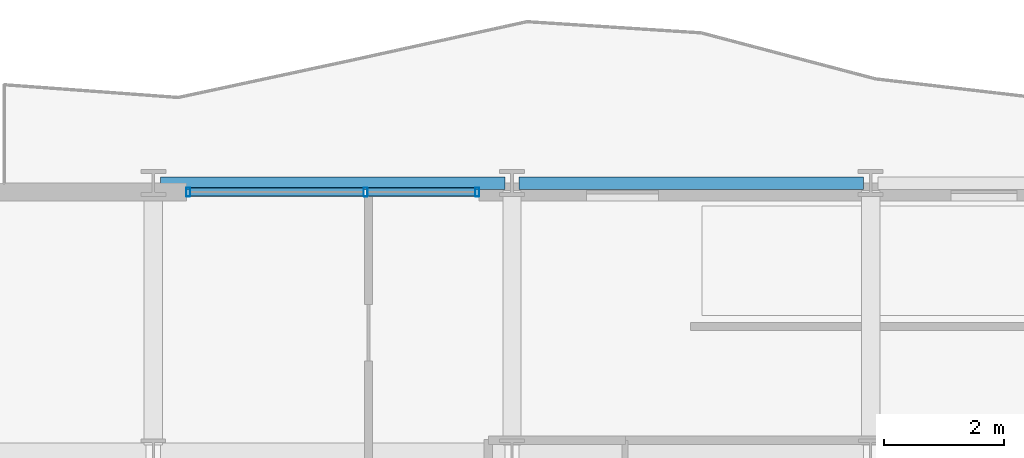
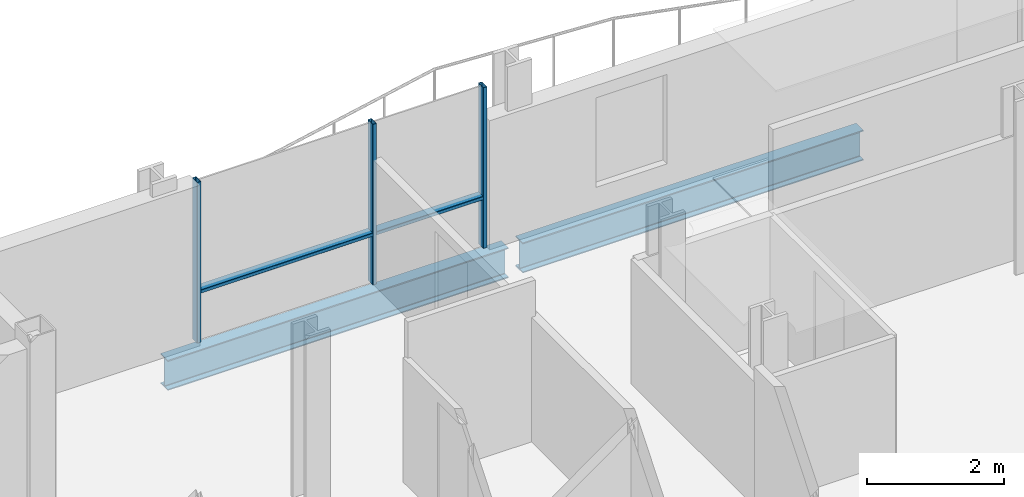
# One storey, part 21 of 40: 5 members, 2 beams, 1 element without a shape of its own.
"""IFC4 building model written with IfcOpenShell, lengths in metres."""

import ifcopenshell
import ifcopenshell.guid

model = None  # the IFC model being written
_history = None  # IfcOwnerHistory: only IFC2X3 demands one
_inside = {}  # id of a spatial element -> (the spatial element, [elements in it])
_under = {}  # id of a project, library or spatial element -> (it, [spatial elements below it])
_declared = {}  # id of a project -> (the project, [libraries it declares])
_typed = {}  # id of a type object -> (the type object, [elements of that type])
_made_of = {}  # id of a material, layer set ... -> (it, [elements and type objects made of it])


def new_model(schema):
    """Start an empty IFC model of exactly this schema.

    Asked for "IFC4X3", IfcOpenShell would pick the latest addendum, in which some entities
    have other attributes; the version numbers below select the first issue.
    IFC2X3 requires an IfcOwnerHistory on every rooted entity: one is made here for all.
    """
    global model, _history
    if schema == "IFC4X3":
        model = ifcopenshell.file(schema_version=(4, 3, 0, 0))
    else:
        model = ifcopenshell.file(schema=schema)
    _inside.clear()
    _under.clear()
    _declared.clear()
    _typed.clear()
    _made_of.clear()
    _history = None
    if model.schema == "IFC2X3":
        org = make("IfcOrganization", Name="unknown")
        user = make(
            "IfcPersonAndOrganization",
            ThePerson=make("IfcPerson", FamilyName="unknown"),
            TheOrganization=org,
        )
        app = make(
            "IfcApplication",
            ApplicationDeveloper=org,
            Version="unknown",
            ApplicationFullName="unknown",
            ApplicationIdentifier="unknown",
        )
        _history = make(
            "IfcOwnerHistory",
            OwningUser=user,
            OwningApplication=app,
            ChangeAction="ADDED",
            CreationDate=0,
        )
    return model


def make(cls, **values):
    """One entity of the class cls with the attributes given. An attribute that is None is left unset."""
    return model.create_entity(
        cls, **{name: value for name, value in values.items() if value is not None}
    )


def rooted(cls, **values):
    """An entity with a GlobalId (a new one), such as an element, a storey or a relation."""
    return make(cls, GlobalId=ifcopenshell.guid.new(), OwnerHistory=_history, **values)


def si_unit(unit_type, name, prefix=None):
    """IfcSIUnit, for example si_unit("LENGTHUNIT", "METRE", prefix="MILLI")."""
    return make("IfcSIUnit", UnitType=unit_type, Prefix=prefix, Name=name)


def assignment(units):
    """IfcUnitAssignment: the units of a project."""
    return None if units is None else make("IfcUnitAssignment", Units=units)


def point(xyz):
    """IfcCartesianPoint."""
    return None if xyz is None else make("IfcCartesianPoint", Coordinates=xyz)


def direction(xyz):
    """IfcDirection."""
    return None if xyz is None else make("IfcDirection", DirectionRatios=xyz)


def frame(location, z_axis=None, x_axis=None):
    """IfcAxis2Placement3D, a coordinate frame: its origin and axes. An axis left out is left unset."""
    return make(
        "IfcAxis2Placement3D",
        Location=point(location),
        Axis=direction(z_axis),
        RefDirection=direction(x_axis),
    )


def frame_2d(location, x_axis=None):
    """IfcAxis2Placement2D, a coordinate frame in the plane: its origin and x axis."""
    return make(
        "IfcAxis2Placement2D", Location=point(location), RefDirection=direction(x_axis)
    )


def origin():
    """The frame at (0, 0, 0) with its axes left unset."""
    return frame((0.0, 0.0, 0.0))


def origin_2d():
    """The frame at (0, 0) in the plane with its x axis left unset."""
    return frame_2d((0.0, 0.0))


def place(relative_to, where):
    """IfcLocalPlacement: puts the frame where relative to a parent placement (None: the world)."""
    return make(
        "IfcLocalPlacement", PlacementRelTo=relative_to, RelativePlacement=where
    )


def context(
    kind, dimensions, precision=None, world=None, true_north=None, identifier=None
):
    """IfcGeometricRepresentationContext, for example the 3D "Model" context."""
    return make(
        "IfcGeometricRepresentationContext",
        ContextIdentifier=identifier,
        ContextType=kind,
        CoordinateSpaceDimension=dimensions,
        Precision=precision,
        WorldCoordinateSystem=world,
        TrueNorth=true_north,
    )


def subcontext(parent, identifier, kind, view, scale=None):
    """IfcGeometricRepresentationSubContext, for example "Body" below "Model"."""
    return make(
        "IfcGeometricRepresentationSubContext",
        ContextIdentifier=identifier,
        ContextType=kind,
        ParentContext=parent,
        TargetScale=scale,
        TargetView=view,
    )


def project(units=None, contexts=None):
    """IfcProject with its units and contexts."""
    return rooted(
        "IfcProject",
        Name="project",
        RepresentationContexts=contexts,
        UnitsInContext=assignment(units),
    )


def spatial(cls, under=None, at=None, **own):
    """A site, building, storey or space (cls), placed at a placement, below another one or the project."""
    s = rooted(cls, ObjectPlacement=at, **own)
    if under is not None:
        _under.setdefault(under.id(), (under, []))[1].append(s)
    return s


def profile(cls, at=None, kind="AREA", **sizes):
    """A parametric profile (cls). Its sizes go by their IFC names, for example OverallWidth=200.0."""
    return make(cls, ProfileType=kind, Position=at, **sizes)


def hollow_rectangle(**sizes):
    """IfcRectangleHollowProfileDef."""
    return profile("IfcRectangleHollowProfileDef", **sizes)


def i_section(**sizes):
    """IfcIShapeProfileDef."""
    return profile("IfcIShapeProfileDef", **sizes)


def extrude(swept, where, along, depth):
    """IfcExtrudedAreaSolid: the profile swept, set in the frame where, extruded along a direction by depth."""
    return make(
        "IfcExtrudedAreaSolid",
        SweptArea=swept,
        Position=where,
        ExtrudedDirection=direction(along),
        Depth=depth,
    )


def shape(context_of_items, identifier, shape_type, items):
    """IfcShapeRepresentation: the items that make up one representation, for example the "Body"."""
    return make(
        "IfcShapeRepresentation",
        ContextOfItems=context_of_items,
        RepresentationIdentifier=identifier,
        RepresentationType=shape_type,
        Items=items,
    )


def material(Name=None, Category=None):
    """IfcMaterial."""
    return make("IfcMaterial", Name=Name, Category=Category)


def layer(
    of_material, thickness, ventilated=None, Name=None, Category=None, Priority=None
):
    """IfcMaterialLayer: one layer of a wall or slab, of a material (None: an air gap)."""
    return make(
        "IfcMaterialLayer",
        Material=of_material,
        LayerThickness=thickness,
        IsVentilated=ventilated,
        Name=Name,
        Category=Category,
        Priority=Priority,
    )


def layer_set(layers, Name=None):
    """IfcMaterialLayerSet."""
    return make("IfcMaterialLayerSet", MaterialLayers=layers, LayerSetName=Name)


def material_profile(
    of_material, cross_section, Name=None, Category=None, Priority=None
):
    """IfcMaterialProfile: a cross section and its material."""
    return make(
        "IfcMaterialProfile",
        Name=Name,
        Material=of_material,
        Profile=cross_section,
        Priority=Priority,
        Category=Category,
    )


def profile_set(profiles, Name=None, composite=None):
    """IfcMaterialProfileSet."""
    return make(
        "IfcMaterialProfileSet",
        Name=Name,
        MaterialProfiles=profiles,
        CompositeProfile=composite,
    )


def made_of(thing, what):
    """Note that an element or type object is made of a material, layer set ...; save() writes the relation."""
    if what is not None:
        _made_of.setdefault(what.id(), (what, []))[1].append(thing)
    return thing


def type_object(cls, material=None, **own):
    """A type object (cls), such as IfcWallType, which elements share."""
    return made_of(rooted(cls, **own), material)


def element(
    cls,
    number,
    at=None,
    inside=None,
    cuts=None,
    type_object=None,
    material=None,
    context=None,
    identifier="Body",
    shape_type=None,
    held_by="IfcProductDefinitionShape",
    body=None,
    shapes=None,
    **own,
):
    """One element of the class cls, such as IfcWall. Its Tag is "e" and its number.

    at: its placement. inside: the storey or other place that contains it. cuts: it is an
    opening in that element (IfcRelVoidsElement). A single representation is given by context,
    identifier, shape_type and body (its items); several are given by shapes. held_by: the class
    of the entity that holds the representations. save() writes the other relations.
    """
    e = rooted(cls, Tag="e%d" % number, ObjectPlacement=at, **own)
    if body is not None:
        shapes = [shape(context, identifier, shape_type, body)]
    if shapes is not None:
        e.Representation = make(held_by, Representations=shapes)
    if inside is not None:
        _inside.setdefault(inside.id(), (inside, []))[1].append(e)
    if cuts is not None:
        rooted(
            "IfcRelVoidsElement", RelatingBuildingElement=cuts, RelatedOpeningElement=e
        )
    if type_object is not None:
        _typed.setdefault(type_object.id(), (type_object, []))[1].append(e)
    return made_of(e, material)


def aggregate(whole, parts):
    """IfcRelAggregates: a whole, such as a stair, and the parts it consists of."""
    return rooted("IfcRelAggregates", RelatingObject=whole, RelatedObjects=parts)


def save(model, path):
    """Write the relations noted so far, then the file.

    IfcRelAggregates (storeys below a building ...), IfcRelContainedInSpatialStructure (elements
    in a storey), IfcRelDefinesByType, IfcRelAssociatesMaterial and IfcRelDeclares: one each for
    every whole, place, type object, material and project.
    """
    for whole, parts in _under.values():
        aggregate(whole, parts)
    for where, things in _inside.values():
        rooted(
            "IfcRelContainedInSpatialStructure",
            RelatedElements=things,
            RelatingStructure=where,
        )
    for kind, things in _typed.values():
        rooted("IfcRelDefinesByType", RelatedObjects=things, RelatingType=kind)
    for what, things in _made_of.values():
        rooted("IfcRelAssociatesMaterial", RelatedObjects=things, RelatingMaterial=what)
    for by, libraries in _declared.values():
        rooted("IfcRelDeclares", RelatingContext=by, RelatedDefinitions=libraries)
    model.write(path)


model = new_model("IFC4")

# Units and contexts
model_context = context("Model", 3, precision=1e-05, world=origin(), true_north=direction((0.0, 1.0)))
body_context = subcontext(model_context, "Body", "Model", "MODEL_VIEW")
ifc_project = project(units=[si_unit("LENGTHUNIT", "METRE"), si_unit("AREAUNIT", "SQUARE_METRE"), si_unit("VOLUMEUNIT", "CUBIC_METRE"), si_unit("PLANEANGLEUNIT", "RADIAN"), si_unit("MASSUNIT", "GRAM", prefix="KILO")], contexts=[model_context])

# Site, building, storey
site_placement = place(None, origin())
site = spatial("IfcSite", under=ifc_project, at=site_placement, CompositionType="ELEMENT")
building_placement = place(site_placement, origin())
building = spatial("IfcBuilding", under=site, at=building_placement, Name="Brevholm Reach", CompositionType="ELEMENT")
storey_placement = place(building_placement, frame((0.0, 0.0, 62.10009765625)))
storey = spatial("IfcBuildingStorey", under=building, at=storey_placement, Name="L17", CompositionType="ELEMENT", Elevation=62.10009765625)

# Beams
ifc_material_1 = material(Name="Structural Steel S355J2", Category="steel")
ifc_material_profile_1 = material_profile(ifc_material_1, i_section(OverallWidth=0.210693359375, OverallDepth=0.53955078125, WebThickness=0.01171875, FlangeThickness=0.018798828125, FilletRadius=0.0126953125, at=origin_2d()), Name="UKB 533x210x109")
ifc_profile_set_1 = profile_set([ifc_material_profile_1], Name="Structural Steel S355J2")
beam_type = type_object("IfcBeamType", Name="BM-SP539", PredefinedType="SPANDREL", material=ifc_profile_set_1)
for number, where, z_axis, x_axis, name in (
    (1, (6.1201171875, 31.0, -0.499755859375), (1.0, 0.0, 0.0), (0.0, 1.0, 0.0), "L17 SP-01B Framing Beam"),
    (2, (12.1201171875, 31.0, -0.499755859375), (1.0, 0.0, 0.0), (0.0, 1.0, 0.0), "L17 SP-01B Framing Beam"),
):
    element("IfcBeam", number, at=place(storey_placement, frame(where, z_axis=z_axis, x_axis=x_axis)), inside=storey, type_object=beam_type, Name=name, PredefinedType="SPANDREL", context=body_context, shape_type="SweptSolid", body=[
        extrude(i_section(OverallWidth=0.210693359375, OverallDepth=0.53955078125, WebThickness=0.01171875, FlangeThickness=0.018798828125, FilletRadius=0.0126953125, at=origin_2d()), origin(), (0.0, 0.0, 1.0), 5.759765625),
    ])

# Curtain wall, members
ifc_material_2 = material(Name="Dark Anodised Aluminium 6063-T6 and Solar-Control Glass", Category="aluminium")
ifc_layer = layer(ifc_material_2, 0.14990234375)
ifc_layer_set = layer_set([ifc_layer], Name="Dark Anodised Aluminium 6063-T6 and Solar-Control Glass")
curtain_wall_type = type_object("IfcCurtainWallType", Name="CW-01", PredefinedType="NOTDEFINED", material=ifc_layer_set)
curtain_wall_placement = place(storey_placement, origin())
curtain_wall = element("IfcCurtainWall", 3, at=curtain_wall_placement, inside=storey, type_object=curtain_wall_type, Name="L17 Curtain Wall CW-01", PredefinedType="NOTDEFINED")
ifc_material_3 = material(Name="Dark Anodised Aluminium 6063-T6", Category="aluminium")
ifc_material_profile_2 = material_profile(ifc_material_3, hollow_rectangle(XDim=0.06494140625, YDim=0.14990234375, WallThickness=0.0048828125, InnerFilletRadius=0.0048828125, OuterFilletRadius=0.010009765625, at=origin_2d()), Name="RHS 150x65x5")
ifc_profile_set_2 = profile_set([ifc_material_profile_2], Name="Dark Anodised Aluminium 6063-T6")
member_type_1 = type_object("IfcMemberType", Name="CWM-150", PredefinedType="MULLION", material=ifc_profile_set_2)
member_1_placement = place(storey_placement, frame((6.58251953125, 30.85009765625, 0.0), z_axis=(0.0, 0.0, 1.0), x_axis=(1.0, 0.0, 0.0)))
member_1 = element("IfcMember", 4, at=member_1_placement, type_object=member_type_1, Name="CM-150 Mullion 1", PredefinedType="MULLION", context=body_context, shape_type="SweptSolid", body=[
    extrude(hollow_rectangle(XDim=0.06494140625, YDim=0.14990234375, WallThickness=0.0048828125, InnerFilletRadius=0.0048828125, OuterFilletRadius=0.010009765625, at=origin_2d()), origin(), (0.0, 0.0, 1.0), 2.869873046875),
])
member_2_placement = place(storey_placement, frame((9.550048828125, 30.85009765625, 0.0), z_axis=(0.0, 0.0, 1.0), x_axis=(1.0, 0.0, 0.0)))
member_2 = element("IfcMember", 5, at=member_2_placement, type_object=member_type_1, Name="CM-150 Mullion 2", PredefinedType="MULLION", context=body_context, shape_type="SweptSolid", body=[
    extrude(hollow_rectangle(XDim=0.06494140625, YDim=0.14990234375, WallThickness=0.0048828125, InnerFilletRadius=0.0048828125, OuterFilletRadius=0.010009765625, at=origin_2d()), origin(), (0.0, 0.0, 1.0), 2.869873046875),
])
member_3_placement = place(storey_placement, frame((11.41748046875, 30.85009765625, 0.0), z_axis=(0.0, 0.0, 1.0), x_axis=(1.0, 0.0, 0.0)))
member_3 = element("IfcMember", 6, at=member_3_placement, type_object=member_type_1, Name="CM-150 Mullion 3", PredefinedType="MULLION", context=body_context, shape_type="SweptSolid", body=[
    extrude(hollow_rectangle(XDim=0.06494140625, YDim=0.14990234375, WallThickness=0.0048828125, InnerFilletRadius=0.0048828125, OuterFilletRadius=0.010009765625, at=origin_2d()), origin(), (0.0, 0.0, 1.0), 2.869873046875),
])
ifc_material_4 = material(Name="Dark Anodised Aluminium 6063-T6", Category="aluminium")
ifc_material_profile_3 = material_profile(ifc_material_4, hollow_rectangle(XDim=0.06494140625, YDim=0.14990234375, WallThickness=0.0048828125, InnerFilletRadius=0.0048828125, OuterFilletRadius=0.010009765625, at=origin_2d()), Name="RHS 150x65x5")
ifc_profile_set_3 = profile_set([ifc_material_profile_3], Name="Dark Anodised Aluminium 6063-T6")
member_type_2 = type_object("IfcMemberType", Name="CWT-150", PredefinedType="NOTDEFINED", material=ifc_profile_set_3)
member_4_placement = place(storey_placement, frame((6.614990234375, 30.85009765625, 0.89990234375), z_axis=(1.0, 0.0, 0.0), x_axis=(0.0, 0.0, 1.0)))
member_4 = element("IfcMember", 7, at=member_4_placement, type_object=member_type_2, Name="CT-150 Transom 1.1", ObjectType="TRANSOM", PredefinedType="USERDEFINED", context=body_context, shape_type="SweptSolid", body=[
    extrude(hollow_rectangle(XDim=0.06494140625, YDim=0.14990234375, WallThickness=0.0048828125, InnerFilletRadius=0.0048828125, OuterFilletRadius=0.010009765625, at=origin_2d()), origin(), (0.0, 0.0, 1.0), 2.902587890625),
])
member_5_placement = place(storey_placement, frame((9.58251953125, 30.85009765625, 0.89990234375), z_axis=(1.0, 0.0, 0.0), x_axis=(0.0, 0.0, 1.0)))
member_5 = element("IfcMember", 8, at=member_5_placement, type_object=member_type_2, Name="CT-150 Transom 2.1", ObjectType="TRANSOM", PredefinedType="USERDEFINED", context=body_context, shape_type="SweptSolid", body=[
    extrude(hollow_rectangle(XDim=0.06494140625, YDim=0.14990234375, WallThickness=0.0048828125, InnerFilletRadius=0.0048828125, OuterFilletRadius=0.010009765625, at=origin_2d()), origin(), (0.0, 0.0, 1.0), 1.802490234375),
])
aggregate(curtain_wall, [member_1, member_2, member_3, member_4, member_5])

save(model, "model.ifc")
